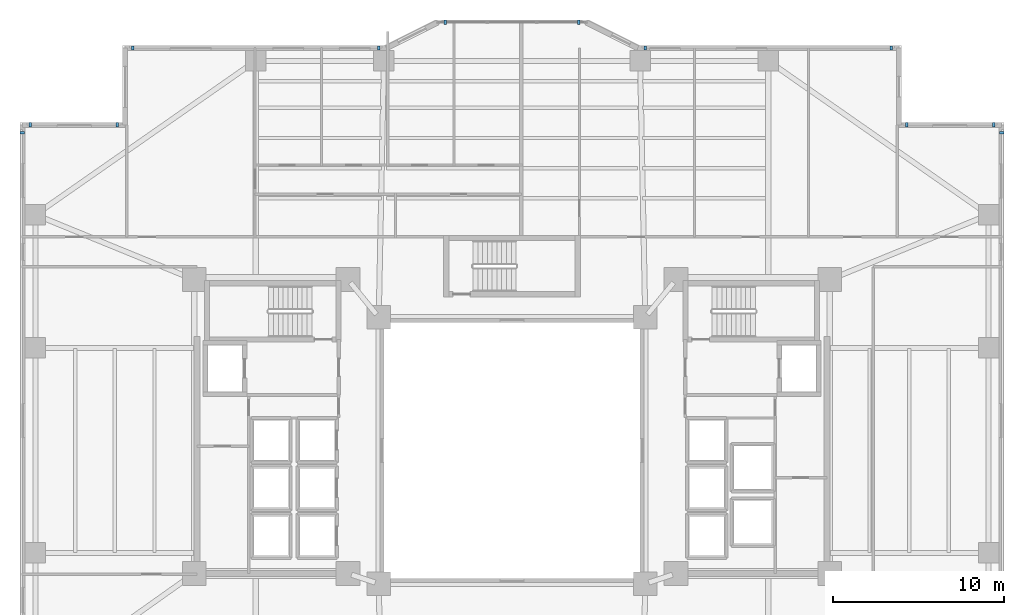
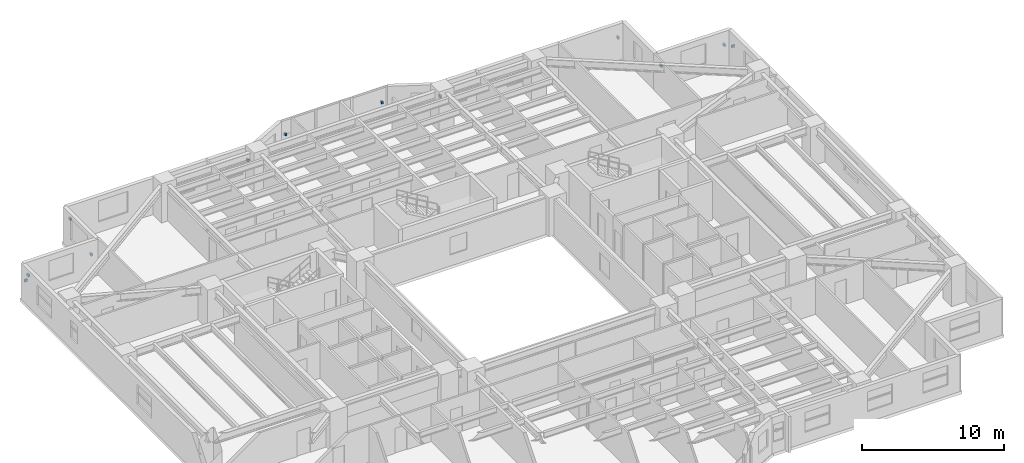
# One storey, part 16 of 19: 12 discrete accessories.
"""IFC4 building model written with IfcOpenShell, lengths in metres."""

from ifc_helpers import new_model, si_unit, direction, frame, origin, origin_2d, place, context, subcontext, project, spatial, rectangle, extrude, material, type_object, element, save


model = new_model("IFC4")

# Units and contexts
model_context = context("Model", 3, precision=1e-05, world=origin(), true_north=direction((0.0, 1.0)))
body_context = subcontext(model_context, "Body", "Model", "MODEL_VIEW")
ifc_project = project(units=[si_unit("LENGTHUNIT", "METRE"), si_unit("AREAUNIT", "SQUARE_METRE"), si_unit("VOLUMEUNIT", "CUBIC_METRE"), si_unit("PLANEANGLEUNIT", "RADIAN"), si_unit("MASSUNIT", "GRAM", prefix="KILO")], contexts=[model_context])

# Site, building, storey
site_placement = place(None, origin())
site = spatial("IfcSite", under=ifc_project, at=site_placement, CompositionType="ELEMENT")
building_placement = place(site_placement, origin())
building = spatial("IfcBuilding", under=site, at=building_placement, Name="Tarnavaz Court Tower", CompositionType="ELEMENT")
storey_placement = place(building_placement, frame((0.0, 0.0, 50.800048828125)))
storey = spatial("IfcBuildingStorey", under=building, at=storey_placement, Name="L13", CompositionType="ELEMENT", Elevation=50.800048828125)

# Discrete accessories
ifc_material = material(Name="Anodised Aluminium 6063-T6", Category="aluminium")
discrete_accessory_type = type_object("IfcDiscreteAccessoryType", Name="DA-BRKT-ALU", PredefinedType="BRACKET", material=ifc_material)
for number, where, z_axis, x_axis, name in (
    (1, (-28.669921875, 18.60009765625, 1.75), (0.0, 0.0, 1.0), (0.0, 1.0, 0.0), "L13 Baguette Outrigger Bracket FBG02-2"),
    (2, (-28.199951171875, 19.070068359375, 1.75), (0.0, 0.0, 1.0), (1.0, 0.0, 0.0), "L13 Baguette Outrigger Bracket FBG03-1"),
    (3, (-23.10009765625, 19.070068359375, 1.75), (0.0, 0.0, 1.0), (1.0, 0.0, 0.0), "L13 Baguette Outrigger Bracket FBG03-2"),
    (4, (-22.199951171875, 23.570068359375, 1.75), (0.0, 0.0, 1.0), (1.0, 0.0, 0.0), "L13 Baguette Outrigger Bracket FBG05-1"),
    (5, (-7.800048828125, 23.570068359375, 1.75), (0.0, 0.0, 1.0), (1.0, 0.0, 0.0), "L13 Baguette Outrigger Bracket FBG05-2"),
    (6, (-3.89990234375, 25.070068359375, 1.7001953125), (0.0, 0.0, 1.0), (1.0, 0.0, 0.0), "L13 Baguette Outrigger Bracket PBG7-1"),
    (7, (3.89990234375, 25.070068359375, 1.7001953125), (0.0, 0.0, 1.0), (1.0, 0.0, 0.0), "L13 Baguette Outrigger Bracket PBG7-2"),
    (8, (7.800048828125, 23.570068359375, 1.75), (0.0, 0.0, 1.0), (1.0, 0.0, 0.0), "L13 Baguette Outrigger Bracket FBG09-1"),
    (9, (22.199951171875, 23.570068359375, 1.75), (0.0, 0.0, 1.0), (1.0, 0.0, 0.0), "L13 Baguette Outrigger Bracket FBG09-2"),
    (10, (23.10009765625, 19.070068359375, 1.75), (0.0, 0.0, 1.0), (1.0, 0.0, 0.0), "L13 Baguette Outrigger Bracket FBG11-1"),
    (11, (28.199951171875, 19.070068359375, 1.75), (0.0, 0.0, 1.0), (1.0, 0.0, 0.0), "L13 Baguette Outrigger Bracket FBG11-2"),
    (12, (28.669921875, 18.60009765625, 1.75), (0.0, 0.0, 1.0), (0.0, -1.0, 0.0), "L13 Baguette Outrigger Bracket FBG12-1"),
):
    element("IfcDiscreteAccessory", number, at=place(storey_placement, frame(where, z_axis=z_axis, x_axis=x_axis)), inside=storey, type_object=discrete_accessory_type, Name=name, PredefinedType="BRACKET", context=body_context, shape_type="SweptSolid", body=[
        extrude(rectangle(XDim=0.139892578125, YDim=0.239990234375, at=origin_2d()), origin(), (0.0, 0.0, 1.0), 0.199951171875),
    ])

save(model, "model.ifc")
